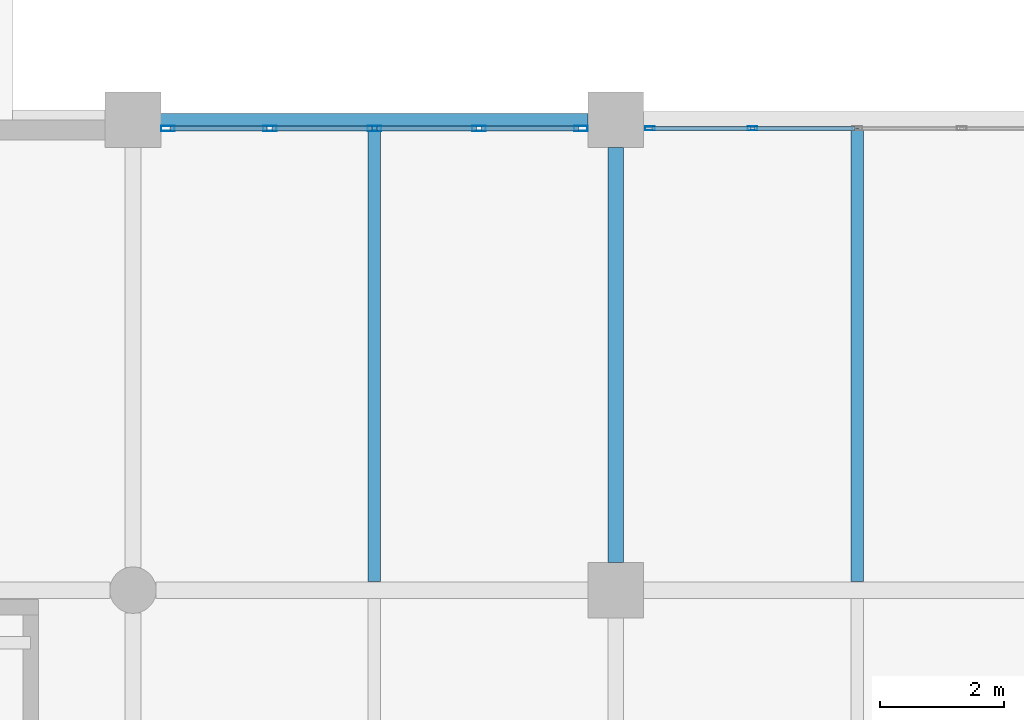
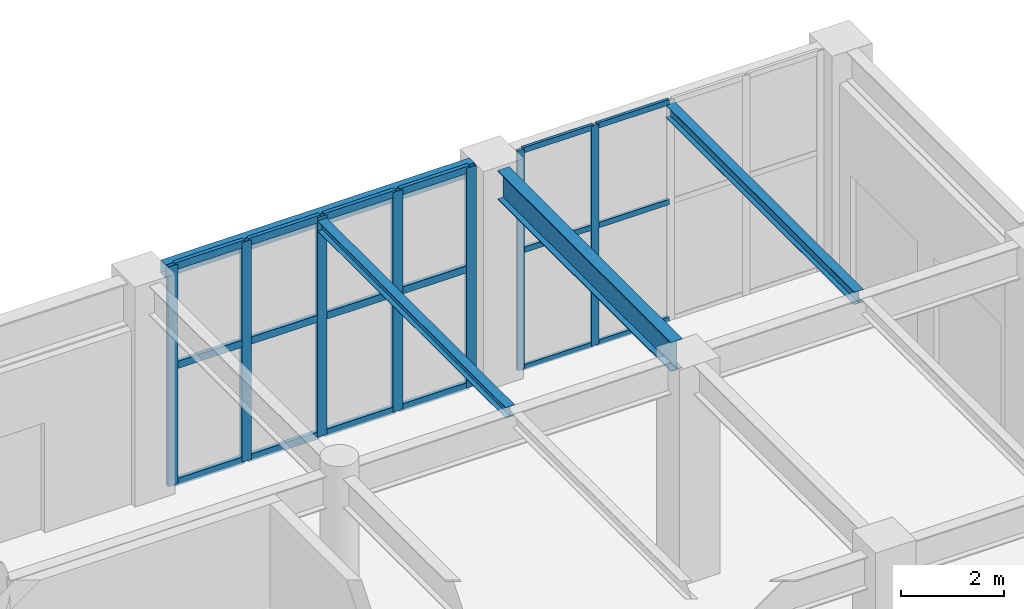
# One storey, part 89 of 139: 25 members, 4 beams, 2 elements without a shape of their own.
"""IFC4 building model written with IfcOpenShell, lengths in metres."""

from ifc_helpers import new_model, si_unit, direction, frame, origin, origin_2d, place, context, subcontext, project, spatial, hollow_rectangle, i_section, extrude, material, layer, layer_set, material_profile, profile_set, type_object, element, aggregate, save


model = new_model("IFC4")

# Units and contexts
model_context = context("Model", 3, precision=1e-05, world=origin(), true_north=direction((0.0, 1.0)))
body_context = subcontext(model_context, "Body", "Model", "MODEL_VIEW")
ifc_project = project(units=[si_unit("LENGTHUNIT", "METRE"), si_unit("AREAUNIT", "SQUARE_METRE"), si_unit("VOLUMEUNIT", "CUBIC_METRE"), si_unit("PLANEANGLEUNIT", "RADIAN"), si_unit("MASSUNIT", "GRAM", prefix="KILO")], contexts=[model_context])

# Site, building, storey
site_placement = place(None, origin())
site = spatial("IfcSite", under=ifc_project, at=site_placement, CompositionType="ELEMENT")
building_placement = place(site_placement, origin())
building = spatial("IfcBuilding", under=site, at=building_placement, Name="Xicomal Pleat Aquarium", CompositionType="ELEMENT")
storey_placement = place(building_placement, origin())
storey = spatial("IfcBuildingStorey", under=building, at=storey_placement, Name="L01", CompositionType="ELEMENT", Elevation=0.0)

# Beams
ifc_material_1 = material(Name="Structural steel A992 Gr 50", Category="steel")
ifc_material_profile_1 = material_profile(ifc_material_1, i_section(OverallWidth=0.201904296875, OverallDepth=0.2470703125, WebThickness=0.00732421875, FlangeThickness=0.010986328125, at=origin_2d()), Name="IR 250x49")
ifc_profile_set_1 = profile_set([ifc_material_profile_1], Name="Structural steel A992 Gr 50")
beam_type_1 = type_object("IfcBeamType", Name="BM-STL-IR250", PredefinedType="JOIST", material=ifc_profile_set_1)
beam_1_placement = place(storey_placement, frame((153.300048828125, 30.537109375, 4.99658203125), z_axis=(0.0, 1.0, 0.0), x_axis=(-1.0, 0.0, 0.0)))
element("IfcBeam", 1, at=beam_1_placement, inside=storey, type_object=beam_type_1, Name="L01 framing beam FBJ-L01-19-E-1", PredefinedType="JOIST", context=body_context, shape_type="SweptSolid", body=[
    extrude(i_section(OverallWidth=0.201904296875, OverallDepth=0.2470703125, WebThickness=0.00732421875, FlangeThickness=0.010986328125, at=origin_2d()), origin(), (0.0, 0.0, 1.0), 7.35986328125),
])
ifc_material_2 = material(Name="Structural steel A992 Gr 50", Category="steel")
ifc_material_profile_2 = material_profile(ifc_material_2, i_section(OverallWidth=0.202880859375, OverallDepth=0.302978515625, WebThickness=0.007568359375, FlangeThickness=0.01318359375, at=origin_2d()), Name="IR 310x60")
ifc_profile_set_2 = profile_set([ifc_material_profile_2], Name="Structural steel A992 Gr 50")
beam_type_2 = type_object("IfcBeamType", Name="BM-STL-IR310", PredefinedType="JOIST", material=ifc_profile_set_2)
beam_2_placement = place(storey_placement, frame((161.10009765625, 30.537109375, 4.968505859375), z_axis=(0.0, 1.0, 0.0), x_axis=(-1.0, 0.0, 0.0)))
element("IfcBeam", 2, at=beam_2_placement, inside=storey, type_object=beam_type_2, Name="L01 framing beam FBJ-L01-20-E-1", PredefinedType="JOIST", context=body_context, shape_type="SweptSolid", body=[
    extrude(i_section(OverallWidth=0.202880859375, OverallDepth=0.302978515625, WebThickness=0.007568359375, FlangeThickness=0.01318359375, at=origin_2d()), origin(), (0.0, 0.0, 1.0), 7.325927734375),
])
ifc_material_3 = material(Name="Structural steel A992 Gr 50", Category="steel")
ifc_material_profile_3 = material_profile(ifc_material_3, i_section(OverallWidth=0.256103515625, OverallDepth=0.693115234375, WebThickness=0.014404296875, FlangeThickness=0.023681640625, at=origin_2d()), Name="IR 690x170")
ifc_profile_set_3 = profile_set([ifc_material_profile_3], Name="Structural steel A992 Gr 50")
beam_type_3 = type_object("IfcBeamType", Name="BM-STL-IR690", PredefinedType="BEAM", material=ifc_profile_set_3)
beam_3_placement = place(storey_placement, frame((157.199951171875, 30.844970703125, 4.7734375), z_axis=(0.0, 1.0, 0.0), x_axis=(-1.0, 0.0, 0.0)))
element("IfcBeam", 3, at=beam_3_placement, inside=storey, type_object=beam_type_3, Name="L01 framing beam FGY-L01-20-E-F", PredefinedType="BEAM", context=body_context, shape_type="SweptSolid", body=[
    extrude(i_section(OverallWidth=0.256103515625, OverallDepth=0.693115234375, WebThickness=0.014404296875, FlangeThickness=0.023681640625, at=origin_2d()), origin(), (0.0, 0.0, 1.0), 6.7099609375),
])
ifc_material_4 = material(Name="Structural steel A500 Gr C", Category="steel")
ifc_material_profile_4 = material_profile(ifc_material_4, hollow_rectangle(XDim=0.199951171875, YDim=0.300048828125, WallThickness=0.011962890625, at=origin_2d()), Name="OR 300x200x12")
ifc_profile_set_4 = profile_set([ifc_material_profile_4], Name="Structural steel A500 Gr C")
beam_type_4 = type_object("IfcBeamType", Name="BM-STL-OR300", PredefinedType="SPANDREL", material=ifc_profile_set_4)
beam_4_placement = place(storey_placement, frame((149.844970703125, 38.0, 5.050048828125), z_axis=(1.0, 0.0, 0.0), x_axis=(0.0, 1.0, 0.0)))
element("IfcBeam", 4, at=beam_4_placement, inside=storey, type_object=beam_type_4, Name="L01 framing beam FGX-L01-19-20-F", PredefinedType="SPANDREL", context=body_context, shape_type="SweptSolid", body=[
    extrude(hollow_rectangle(XDim=0.199951171875, YDim=0.300048828125, WallThickness=0.011962890625, at=origin_2d()), origin(), (0.0, 0.0, 1.0), 6.909912109375),
])

# Curtain wall, members
ifc_material_5 = material(Name="Bronze anodized aluminium 6063-T6", Category="aluminium")
ifc_layer_1 = layer(ifc_material_5, 0.159912109375)
ifc_layer_set_1 = layer_set([ifc_layer_1], Name="Bronze anodized aluminium 6063-T6")
curtain_wall_type_1 = type_object("IfcCurtainWallType", Name="CW-SYS-01", PredefinedType="NOTDEFINED", material=ifc_layer_set_1)
curtain_wall_1_placement = place(storey_placement, origin())
curtain_wall_1 = element("IfcCurtainWall", 5, at=curtain_wall_1_placement, inside=storey, type_object=curtain_wall_type_1, Name="L01 unitised curtain wall CW-L01-057", PredefinedType="NOTDEFINED")
ifc_material_6 = material(Name="Bronze anodized aluminium 6063-T6", Category="aluminium")
ifc_material_profile_5 = material_profile(ifc_material_6, hollow_rectangle(XDim=0.06494140625, YDim=0.159912109375, WallThickness=0.00390625, at=origin_2d()), Name="ALU MULL 65x160")
ifc_profile_set_5 = profile_set([ifc_material_profile_5], Name="Bronze anodized aluminium 6063-T6")
member_type_1 = type_object("IfcMemberType", Name="CWM-65x160", PredefinedType="MULLION", material=ifc_profile_set_5)
member_1_placement = place(storey_placement, frame((157.75244140625, 37.860107421875, 0.0), z_axis=(0.0, 0.0, 1.0), x_axis=(0.0, 1.0, 0.0)))
member_1 = element("IfcMember", 6, at=member_1_placement, type_object=member_type_1, Name="CW-01 mullion 1", PredefinedType="MULLION", context=body_context, shape_type="SweptSolid", body=[
    extrude(hollow_rectangle(XDim=0.06494140625, YDim=0.159912109375, WallThickness=0.00390625, at=origin_2d()), origin(), (0.0, 0.0, 1.0), 5.199951171875),
])
member_2_placement = place(storey_placement, frame((159.409912109375, 37.860107421875, 0.0), z_axis=(0.0, 0.0, 1.0), x_axis=(0.0, 1.0, 0.0)))
member_2 = element("IfcMember", 7, at=member_2_placement, type_object=member_type_1, Name="CW-01 mullion 2", PredefinedType="MULLION", context=body_context, shape_type="SweptSolid", body=[
    extrude(hollow_rectangle(XDim=0.06494140625, YDim=0.159912109375, WallThickness=0.00390625, at=origin_2d()), origin(), (0.0, 0.0, 1.0), 5.199951171875),
])

ifc_material_7 = material(Name="Bronze anodized aluminium 6063-T6", Category="aluminium")
ifc_layer_2 = layer(ifc_material_7, 0.159912109375)
ifc_layer_set_2 = layer_set([ifc_layer_2], Name="Bronze anodized aluminium 6063-T6")
curtain_wall_type_2 = type_object("IfcCurtainWallType", Name="CW-SYS-11", PredefinedType="NOTDEFINED", material=ifc_layer_set_2)
curtain_wall_2_placement = place(storey_placement, origin())
curtain_wall_2 = element("IfcCurtainWall", 8, at=curtain_wall_2_placement, inside=storey, type_object=curtain_wall_type_2, Name="L01 unitised curtain wall CW-L01-056", PredefinedType="NOTDEFINED")
ifc_material_8 = material(Name="Bronze anodized aluminium 6063-T6", Category="aluminium")
ifc_material_profile_6 = material_profile(ifc_material_8, hollow_rectangle(XDim=0.0849609375, YDim=0.219970703125, WallThickness=0.0048828125, at=origin_2d()), Name="ALU MULL 85x220")
ifc_profile_set_6 = profile_set([ifc_material_profile_6], Name="Bronze anodized aluminium 6063-T6")
member_type_2 = type_object("IfcMemberType", Name="CWM-85x220", PredefinedType="MULLION", material=ifc_profile_set_6)
member_3_placement = place(storey_placement, frame((149.96240234375, 37.860107421875, 0.0), z_axis=(0.0, 0.0, 1.0), x_axis=(0.0, 1.0, 0.0)))
member_3 = element("IfcMember", 9, at=member_3_placement, type_object=member_type_2, Name="CW-11 mullion 1", PredefinedType="MULLION", context=body_context, shape_type="SweptSolid", body=[
    extrude(hollow_rectangle(XDim=0.0849609375, YDim=0.219970703125, WallThickness=0.0048828125, at=origin_2d()), origin(), (0.0, 0.0, 1.0), 5.199951171875),
])
member_4_placement = place(storey_placement, frame((151.610107421875, 37.860107421875, 0.0), z_axis=(0.0, 0.0, 1.0), x_axis=(0.0, 1.0, 0.0)))
member_4 = element("IfcMember", 10, at=member_4_placement, type_object=member_type_2, Name="CW-11 mullion 2", PredefinedType="MULLION", context=body_context, shape_type="SweptSolid", body=[
    extrude(hollow_rectangle(XDim=0.0849609375, YDim=0.219970703125, WallThickness=0.0048828125, at=origin_2d()), origin(), (0.0, 0.0, 1.0), 5.199951171875),
])
member_5_placement = place(storey_placement, frame((153.300048828125, 37.860107421875, 0.0), z_axis=(0.0, 0.0, 1.0), x_axis=(0.0, 1.0, 0.0)))
member_5 = element("IfcMember", 11, at=member_5_placement, type_object=member_type_2, Name="CW-11 mullion 3", PredefinedType="MULLION", context=body_context, shape_type="SweptSolid", body=[
    extrude(hollow_rectangle(XDim=0.0849609375, YDim=0.219970703125, WallThickness=0.0048828125, at=origin_2d()), origin(), (0.0, 0.0, 1.0), 5.199951171875),
])
member_6_placement = place(storey_placement, frame((154.989990234375, 37.860107421875, 0.0), z_axis=(0.0, 0.0, 1.0), x_axis=(0.0, 1.0, 0.0)))
member_6 = element("IfcMember", 12, at=member_6_placement, type_object=member_type_2, Name="CW-11 mullion 4", PredefinedType="MULLION", context=body_context, shape_type="SweptSolid", body=[
    extrude(hollow_rectangle(XDim=0.0849609375, YDim=0.219970703125, WallThickness=0.0048828125, at=origin_2d()), origin(), (0.0, 0.0, 1.0), 5.199951171875),
])
member_7_placement = place(storey_placement, frame((156.637451171875, 37.860107421875, 0.0), z_axis=(0.0, 0.0, 1.0), x_axis=(0.0, 1.0, 0.0)))
member_7 = element("IfcMember", 13, at=member_7_placement, type_object=member_type_2, Name="CW-11 mullion 5", PredefinedType="MULLION", context=body_context, shape_type="SweptSolid", body=[
    extrude(hollow_rectangle(XDim=0.0849609375, YDim=0.219970703125, WallThickness=0.0048828125, at=origin_2d()), origin(), (0.0, 0.0, 1.0), 5.199951171875),
])

# Member
ifc_material_9 = material(Name="Bronze anodized aluminium 6063-T6", Category="aluminium")
ifc_material_profile_7 = material_profile(ifc_material_9, hollow_rectangle(XDim=0.06494140625, YDim=0.1298828125, WallThickness=0.00390625, at=origin_2d()), Name="ALU TRAN 65x130")
ifc_profile_set_7 = profile_set([ifc_material_profile_7], Name="Bronze anodized aluminium 6063-T6")
member_type_3 = type_object("IfcMemberType", Name="CWT-65x130", PredefinedType="USERDEFINED", material=ifc_profile_set_7)
member_8_placement = place(storey_placement, frame((157.784912109375, 37.860107421875, 0.032470703125), z_axis=(1.0, 0.0, 0.0), x_axis=(0.0, 1.0, 0.0)))
member_8 = element("IfcMember", 14, at=member_8_placement, type_object=member_type_3, Name="CW-01 transom 1.1", ObjectType="TRANSOM", PredefinedType="USERDEFINED", context=body_context, shape_type="SweptSolid", body=[
    extrude(hollow_rectangle(XDim=0.06494140625, YDim=0.1298828125, WallThickness=0.00390625, at=origin_2d()), origin(), (0.0, 0.0, 1.0), 1.592529296875),
])

member_9_placement = place(storey_placement, frame((157.784912109375, 37.860107421875, 2.80810546875), z_axis=(1.0, 0.0, 0.0), x_axis=(0.0, 1.0, 0.0)))
member_9 = element("IfcMember", 15, at=member_9_placement, type_object=member_type_3, Name="CW-01 transom 1.2", ObjectType="TRANSOM", PredefinedType="USERDEFINED", context=body_context, shape_type="SweptSolid", body=[
    extrude(hollow_rectangle(XDim=0.06494140625, YDim=0.1298828125, WallThickness=0.00390625, at=origin_2d()), origin(), (0.0, 0.0, 1.0), 1.592529296875),
])

member_10_placement = place(storey_placement, frame((157.784912109375, 37.860107421875, 5.16748046875), z_axis=(1.0, 0.0, 0.0), x_axis=(0.0, 1.0, 0.0)))
member_10 = element("IfcMember", 16, at=member_10_placement, type_object=member_type_3, Name="CW-01 transom 1.3", ObjectType="TRANSOM", PredefinedType="USERDEFINED", context=body_context, shape_type="SweptSolid", body=[
    extrude(hollow_rectangle(XDim=0.06494140625, YDim=0.1298828125, WallThickness=0.00390625, at=origin_2d()), origin(), (0.0, 0.0, 1.0), 1.592529296875),
])

member_11_placement = place(storey_placement, frame((159.4423828125, 37.860107421875, 0.032470703125), z_axis=(1.0, 0.0, 0.0), x_axis=(0.0, 1.0, 0.0)))
member_11 = element("IfcMember", 17, at=member_11_placement, type_object=member_type_3, Name="CW-01 transom 2.1", ObjectType="TRANSOM", PredefinedType="USERDEFINED", context=body_context, shape_type="SweptSolid", body=[
    extrude(hollow_rectangle(XDim=0.06494140625, YDim=0.1298828125, WallThickness=0.00390625, at=origin_2d()), origin(), (0.0, 0.0, 1.0), 1.625),
])

member_12_placement = place(storey_placement, frame((159.4423828125, 37.860107421875, 2.80810546875), z_axis=(1.0, 0.0, 0.0), x_axis=(0.0, 1.0, 0.0)))
member_12 = element("IfcMember", 18, at=member_12_placement, type_object=member_type_3, Name="CW-01 transom 2.2", ObjectType="TRANSOM", PredefinedType="USERDEFINED", context=body_context, shape_type="SweptSolid", body=[
    extrude(hollow_rectangle(XDim=0.06494140625, YDim=0.1298828125, WallThickness=0.00390625, at=origin_2d()), origin(), (0.0, 0.0, 1.0), 1.625),
])

member_13_placement = place(storey_placement, frame((159.4423828125, 37.860107421875, 5.16748046875), z_axis=(1.0, 0.0, 0.0), x_axis=(0.0, 1.0, 0.0)))
member_13 = element("IfcMember", 19, at=member_13_placement, type_object=member_type_3, Name="CW-01 transom 2.3", ObjectType="TRANSOM", PredefinedType="USERDEFINED", context=body_context, shape_type="SweptSolid", body=[
    extrude(hollow_rectangle(XDim=0.06494140625, YDim=0.1298828125, WallThickness=0.00390625, at=origin_2d()), origin(), (0.0, 0.0, 1.0), 1.625),
])

aggregate(curtain_wall_1, [member_1, member_2, member_8, member_9, member_10, member_11, member_12, member_13])

ifc_material_10 = material(Name="Bronze anodized aluminium 6063-T6", Category="aluminium")
ifc_material_profile_8 = material_profile(ifc_material_10, hollow_rectangle(XDim=0.0849609375, YDim=0.169921875, WallThickness=0.0048828125, at=origin_2d()), Name="ALU TRAN 85x170")
ifc_profile_set_8 = profile_set([ifc_material_profile_8], Name="Bronze anodized aluminium 6063-T6")
member_type_4 = type_object("IfcMemberType", Name="CWT-85x170", PredefinedType="USERDEFINED", material=ifc_profile_set_8)
member_14_placement = place(storey_placement, frame((150.0048828125, 37.860107421875, 0.04248046875), z_axis=(1.0, 0.0, 0.0), x_axis=(0.0, 1.0, 0.0)))
member_14 = element("IfcMember", 20, at=member_14_placement, type_object=member_type_4, Name="CW-11 transom 1.1", ObjectType="TRANSOM", PredefinedType="USERDEFINED", context=body_context, shape_type="SweptSolid", body=[
    extrude(hollow_rectangle(XDim=0.0849609375, YDim=0.169921875, WallThickness=0.0048828125, at=origin_2d()), origin(), (0.0, 0.0, 1.0), 1.5625),
])

member_15_placement = place(storey_placement, frame((150.0048828125, 37.860107421875, 2.80810546875), z_axis=(1.0, 0.0, 0.0), x_axis=(0.0, 1.0, 0.0)))
member_15 = element("IfcMember", 21, at=member_15_placement, type_object=member_type_4, Name="CW-11 transom 1.2", ObjectType="TRANSOM", PredefinedType="USERDEFINED", context=body_context, shape_type="SweptSolid", body=[
    extrude(hollow_rectangle(XDim=0.0849609375, YDim=0.169921875, WallThickness=0.0048828125, at=origin_2d()), origin(), (0.0, 0.0, 1.0), 1.5625),
])

member_16_placement = place(storey_placement, frame((150.0048828125, 37.860107421875, 5.157470703125), z_axis=(1.0, 0.0, 0.0), x_axis=(0.0, 1.0, 0.0)))
member_16 = element("IfcMember", 22, at=member_16_placement, type_object=member_type_4, Name="CW-11 transom 1.3", ObjectType="TRANSOM", PredefinedType="USERDEFINED", context=body_context, shape_type="SweptSolid", body=[
    extrude(hollow_rectangle(XDim=0.0849609375, YDim=0.169921875, WallThickness=0.0048828125, at=origin_2d()), origin(), (0.0, 0.0, 1.0), 1.5625),
])

member_17_placement = place(storey_placement, frame((151.652587890625, 37.860107421875, 0.04248046875), z_axis=(1.0, 0.0, 0.0), x_axis=(0.0, 1.0, 0.0)))
member_17 = element("IfcMember", 23, at=member_17_placement, type_object=member_type_4, Name="CW-11 transom 2.1", ObjectType="TRANSOM", PredefinedType="USERDEFINED", context=body_context, shape_type="SweptSolid", body=[
    extrude(hollow_rectangle(XDim=0.0849609375, YDim=0.169921875, WallThickness=0.0048828125, at=origin_2d()), origin(), (0.0, 0.0, 1.0), 1.60498046875),
])

member_18_placement = place(storey_placement, frame((151.652587890625, 37.860107421875, 2.80810546875), z_axis=(1.0, 0.0, 0.0), x_axis=(0.0, 1.0, 0.0)))
member_18 = element("IfcMember", 24, at=member_18_placement, type_object=member_type_4, Name="CW-11 transom 2.2", ObjectType="TRANSOM", PredefinedType="USERDEFINED", context=body_context, shape_type="SweptSolid", body=[
    extrude(hollow_rectangle(XDim=0.0849609375, YDim=0.169921875, WallThickness=0.0048828125, at=origin_2d()), origin(), (0.0, 0.0, 1.0), 1.60498046875),
])

member_19_placement = place(storey_placement, frame((151.652587890625, 37.860107421875, 5.157470703125), z_axis=(1.0, 0.0, 0.0), x_axis=(0.0, 1.0, 0.0)))
member_19 = element("IfcMember", 25, at=member_19_placement, type_object=member_type_4, Name="CW-11 transom 2.3", ObjectType="TRANSOM", PredefinedType="USERDEFINED", context=body_context, shape_type="SweptSolid", body=[
    extrude(hollow_rectangle(XDim=0.0849609375, YDim=0.169921875, WallThickness=0.0048828125, at=origin_2d()), origin(), (0.0, 0.0, 1.0), 1.60498046875),
])

member_20_placement = place(storey_placement, frame((153.342529296875, 37.860107421875, 0.04248046875), z_axis=(1.0, 0.0, 0.0), x_axis=(0.0, 1.0, 0.0)))
member_20 = element("IfcMember", 26, at=member_20_placement, type_object=member_type_4, Name="CW-11 transom 3.1", ObjectType="TRANSOM", PredefinedType="USERDEFINED", context=body_context, shape_type="SweptSolid", body=[
    extrude(hollow_rectangle(XDim=0.0849609375, YDim=0.169921875, WallThickness=0.0048828125, at=origin_2d()), origin(), (0.0, 0.0, 1.0), 1.60498046875),
])

member_21_placement = place(storey_placement, frame((153.342529296875, 37.860107421875, 2.80810546875), z_axis=(1.0, 0.0, 0.0), x_axis=(0.0, 1.0, 0.0)))
member_21 = element("IfcMember", 27, at=member_21_placement, type_object=member_type_4, Name="CW-11 transom 3.2", ObjectType="TRANSOM", PredefinedType="USERDEFINED", context=body_context, shape_type="SweptSolid", body=[
    extrude(hollow_rectangle(XDim=0.0849609375, YDim=0.169921875, WallThickness=0.0048828125, at=origin_2d()), origin(), (0.0, 0.0, 1.0), 1.60498046875),
])

member_22_placement = place(storey_placement, frame((153.342529296875, 37.860107421875, 5.157470703125), z_axis=(1.0, 0.0, 0.0), x_axis=(0.0, 1.0, 0.0)))
member_22 = element("IfcMember", 28, at=member_22_placement, type_object=member_type_4, Name="CW-11 transom 3.3", ObjectType="TRANSOM", PredefinedType="USERDEFINED", context=body_context, shape_type="SweptSolid", body=[
    extrude(hollow_rectangle(XDim=0.0849609375, YDim=0.169921875, WallThickness=0.0048828125, at=origin_2d()), origin(), (0.0, 0.0, 1.0), 1.60498046875),
])

member_23_placement = place(storey_placement, frame((155.032470703125, 37.860107421875, 0.04248046875), z_axis=(1.0, 0.0, 0.0), x_axis=(0.0, 1.0, 0.0)))
member_23 = element("IfcMember", 29, at=member_23_placement, type_object=member_type_4, Name="CW-11 transom 4.1", ObjectType="TRANSOM", PredefinedType="USERDEFINED", context=body_context, shape_type="SweptSolid", body=[
    extrude(hollow_rectangle(XDim=0.0849609375, YDim=0.169921875, WallThickness=0.0048828125, at=origin_2d()), origin(), (0.0, 0.0, 1.0), 1.5625),
])

member_24_placement = place(storey_placement, frame((155.032470703125, 37.860107421875, 2.80810546875), z_axis=(1.0, 0.0, 0.0), x_axis=(0.0, 1.0, 0.0)))
member_24 = element("IfcMember", 30, at=member_24_placement, type_object=member_type_4, Name="CW-11 transom 4.2", ObjectType="TRANSOM", PredefinedType="USERDEFINED", context=body_context, shape_type="SweptSolid", body=[
    extrude(hollow_rectangle(XDim=0.0849609375, YDim=0.169921875, WallThickness=0.0048828125, at=origin_2d()), origin(), (0.0, 0.0, 1.0), 1.5625),
])

member_25_placement = place(storey_placement, frame((155.032470703125, 37.860107421875, 5.157470703125), z_axis=(1.0, 0.0, 0.0), x_axis=(0.0, 1.0, 0.0)))
member_25 = element("IfcMember", 31, at=member_25_placement, type_object=member_type_4, Name="CW-11 transom 4.3", ObjectType="TRANSOM", PredefinedType="USERDEFINED", context=body_context, shape_type="SweptSolid", body=[
    extrude(hollow_rectangle(XDim=0.0849609375, YDim=0.169921875, WallThickness=0.0048828125, at=origin_2d()), origin(), (0.0, 0.0, 1.0), 1.5625),
])

aggregate(curtain_wall_2, [member_3, member_4, member_5, member_6, member_7, member_14, member_15, member_16, member_17, member_18, member_19, member_20, member_21, member_22, member_23, member_24, member_25])

save(model, "model.ifc")
